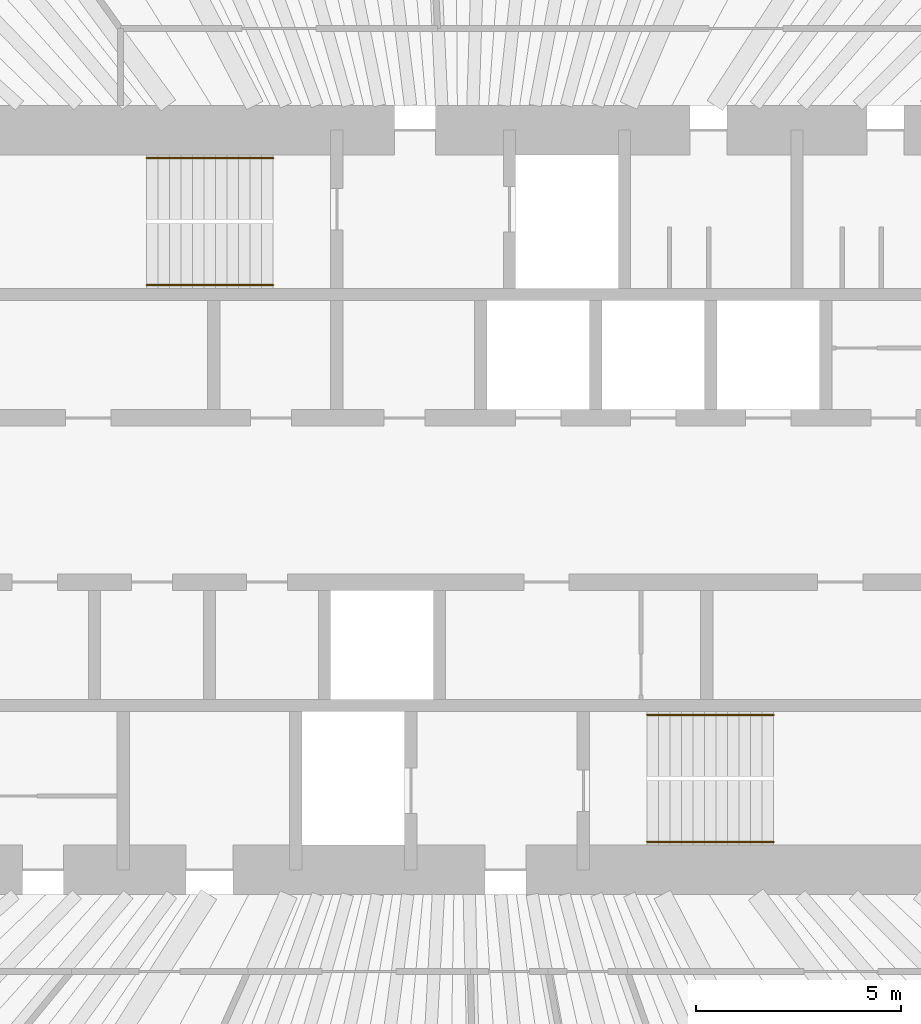
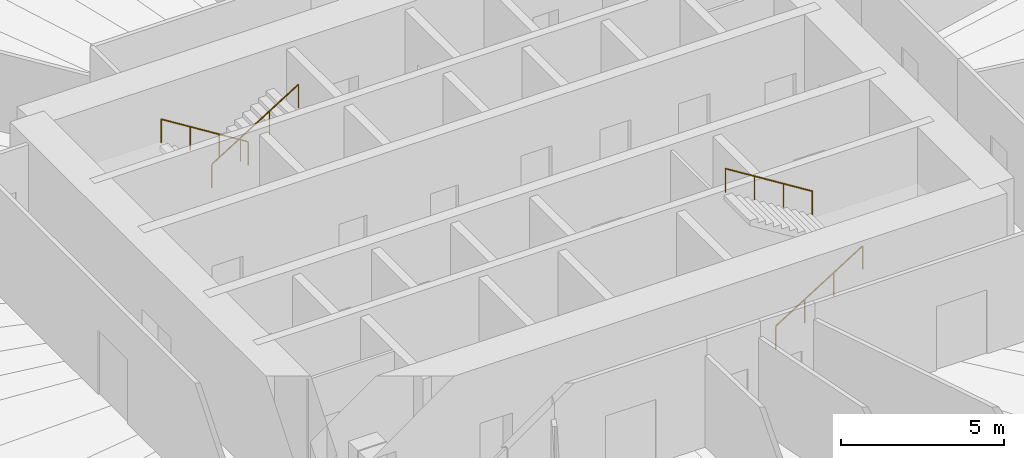
# One storey, part 13 of 13: 4 railings.
"""IFC4 building model written with IfcOpenShell, lengths in metres."""

from ifc_helpers import new_model, si_unit, direction, frame, origin, origin_2d, place, context, subcontext, project, spatial, circle, extrude, material, type_object, element, save


model = new_model("IFC4")

# Units and contexts
model_context = context("Model", 3, precision=1e-05, world=origin(), true_north=direction((0.0, 1.0)))
body_context = subcontext(model_context, "Body", "Model", "MODEL_VIEW")
ifc_project = project(units=[si_unit("LENGTHUNIT", "METRE"), si_unit("AREAUNIT", "SQUARE_METRE"), si_unit("VOLUMEUNIT", "CUBIC_METRE"), si_unit("PLANEANGLEUNIT", "RADIAN"), si_unit("MASSUNIT", "GRAM", prefix="KILO")], contexts=[model_context])

# Site, building, storey
site_placement = place(None, origin())
site = spatial("IfcSite", under=ifc_project, at=site_placement, CompositionType="ELEMENT")
building_placement = place(site_placement, origin())
building = spatial("IfcBuilding", under=site, at=building_placement, Name="Qingtian Harvest Tower", CompositionType="ELEMENT")
storey_placement = place(building_placement, frame((0.0, 0.0, 230.800048828125)))
storey = spatial("IfcBuildingStorey", under=building, at=storey_placement, Name="L50", CompositionType="ELEMENT", Elevation=230.800048828125)

# Railings
ifc_material = material(Name="Stainless steel handrail", Category="steel")
railing_type = type_object("IfcRailingType", Name="Handrail HR1", PredefinedType="HANDRAIL", material=ifc_material)
railing_1_placement = place(storey_placement, frame((-4.550048828125, 8.320068359375, 0.175048828125)))
element("IfcRailing", 1, at=railing_1_placement, inside=storey, type_object=railing_type, Name="Handrail HR1 S1 flight 1", PredefinedType="HANDRAIL", context=body_context, shape_type="SweptSolid", body=[
    extrude(circle(Radius=0.02392578125, at=origin_2d()), frame((0.0, 0.0, 0.8759765625), z_axis=(-0.848009633417, 0.0, 0.529980812513), x_axis=(0.0, -1.0, 0.0)), (0.0, 0.0, 1.0), 3.6318359375),
    extrude(circle(Radius=0.02099609375, at=origin_2d()), origin(), (0.0, 0.0, 1.0), 0.851806640625),
    extrude(circle(Radius=0.02099609375, at=origin_2d()), frame((-1.026611328125, 0.0, 0.6416015625)), (0.0, 0.0, 1.0), 0.851806640625),
    extrude(circle(Radius=0.02099609375, at=origin_2d()), frame((-2.05322265625, 0.0, 1.283203125)), (0.0, 0.0, 1.0), 0.851806640625),
    extrude(circle(Radius=0.02099609375, at=origin_2d()), frame((-3.079833984375, 0.0, 1.9248046875)), (0.0, 0.0, 1.0), 0.851806640625),
])
railing_2_placement = place(storey_placement, frame((-7.6298828125, 5.22998046875, 2.27490234375)))
element("IfcRailing", 2, at=railing_2_placement, inside=storey, type_object=railing_type, Name="Handrail HR1 S1 flight 2", PredefinedType="HANDRAIL", context=body_context, shape_type="SweptSolid", body=[
    extrude(circle(Radius=0.02392578125, at=origin_2d()), frame((0.0, 0.0, 0.8759765625), z_axis=(0.847979421464, 0.0, 0.530029150871), x_axis=(0.0, 1.0, 0.0)), (0.0, 0.0, 1.0), 3.632080078125),
    extrude(circle(Radius=0.02099609375, at=origin_2d()), origin(), (0.0, 0.0, 1.0), 0.851806640625),
    extrude(circle(Radius=0.02099609375, at=origin_2d()), frame((1.026611328125, 0.0, 0.6416015625)), (0.0, 0.0, 1.0), 0.851806640625),
    extrude(circle(Radius=0.02099609375, at=origin_2d()), frame((2.05322265625, 0.0, 1.283447265625)), (0.0, 0.0, 1.0), 0.851806640625),
    extrude(circle(Radius=0.02099609375, at=origin_2d()), frame((3.079833984375, 0.0, 1.925048828125)), (0.0, 0.0, 1.0), 0.851806640625),
])
railing_3_placement = place(storey_placement, frame((4.550048828125, -8.320068359375, 0.175048828125)))
element("IfcRailing", 3, at=railing_3_placement, inside=storey, type_object=railing_type, Name="Handrail HR1 S2 flight 1", PredefinedType="HANDRAIL", context=body_context, shape_type="SweptSolid", body=[
    extrude(circle(Radius=0.02392578125, at=origin_2d()), frame((0.0, 0.0, 0.8759765625), z_axis=(0.848009633417, 0.0, 0.529980812513), x_axis=(0.0, 1.0, 0.0)), (0.0, 0.0, 1.0), 3.6318359375),
    extrude(circle(Radius=0.02099609375, at=origin_2d()), origin(), (0.0, 0.0, 1.0), 0.851806640625),
    extrude(circle(Radius=0.02099609375, at=origin_2d()), frame((1.026611328125, 0.0, 0.6416015625)), (0.0, 0.0, 1.0), 0.851806640625),
    extrude(circle(Radius=0.02099609375, at=origin_2d()), frame((2.05322265625, 0.0, 1.283203125)), (0.0, 0.0, 1.0), 0.851806640625),
    extrude(circle(Radius=0.02099609375, at=origin_2d()), frame((3.079833984375, 0.0, 1.9248046875)), (0.0, 0.0, 1.0), 0.851806640625),
])
railing_4_placement = place(storey_placement, frame((7.6298828125, -5.22998046875, 2.27490234375)))
element("IfcRailing", 4, at=railing_4_placement, inside=storey, type_object=railing_type, Name="Handrail HR1 S2 flight 2", PredefinedType="HANDRAIL", context=body_context, shape_type="SweptSolid", body=[
    extrude(circle(Radius=0.02392578125, at=origin_2d()), frame((0.0, 0.0, 0.8759765625), z_axis=(-0.847979421464, 0.0, 0.530029150871), x_axis=(0.0, -1.0, 0.0)), (0.0, 0.0, 1.0), 3.632080078125),
    extrude(circle(Radius=0.02099609375, at=origin_2d()), origin(), (0.0, 0.0, 1.0), 0.851806640625),
    extrude(circle(Radius=0.02099609375, at=origin_2d()), frame((-1.026611328125, 0.0, 0.6416015625)), (0.0, 0.0, 1.0), 0.851806640625),
    extrude(circle(Radius=0.02099609375, at=origin_2d()), frame((-2.05322265625, 0.0, 1.283447265625)), (0.0, 0.0, 1.0), 0.851806640625),
    extrude(circle(Radius=0.02099609375, at=origin_2d()), frame((-3.079833984375, 0.0, 1.925048828125)), (0.0, 0.0, 1.0), 0.851806640625),
])

save(model, "model.ifc")
